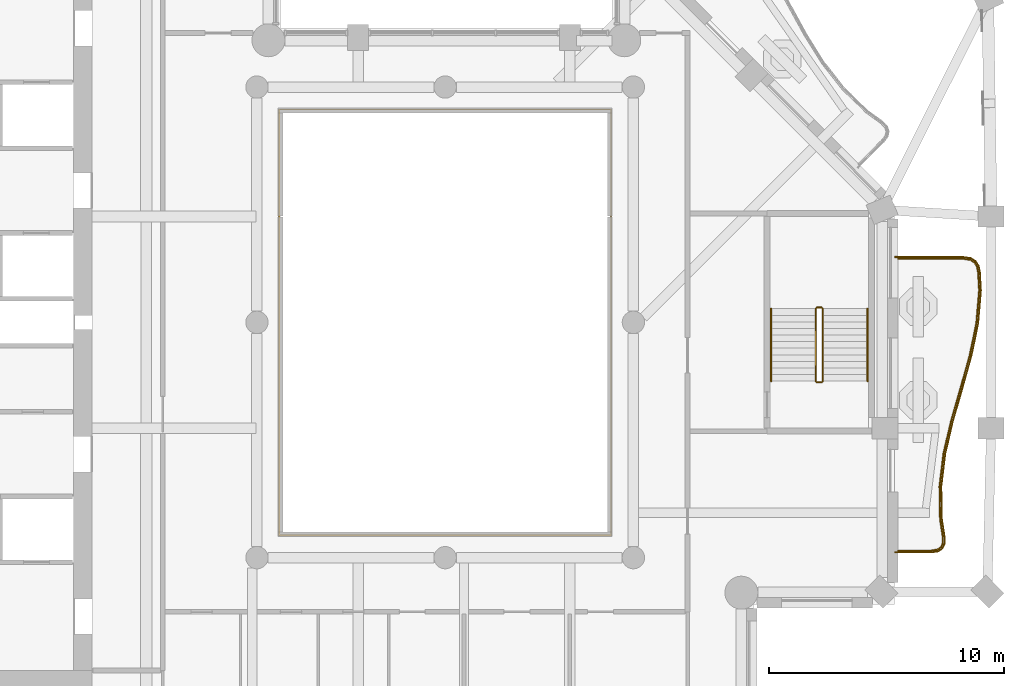
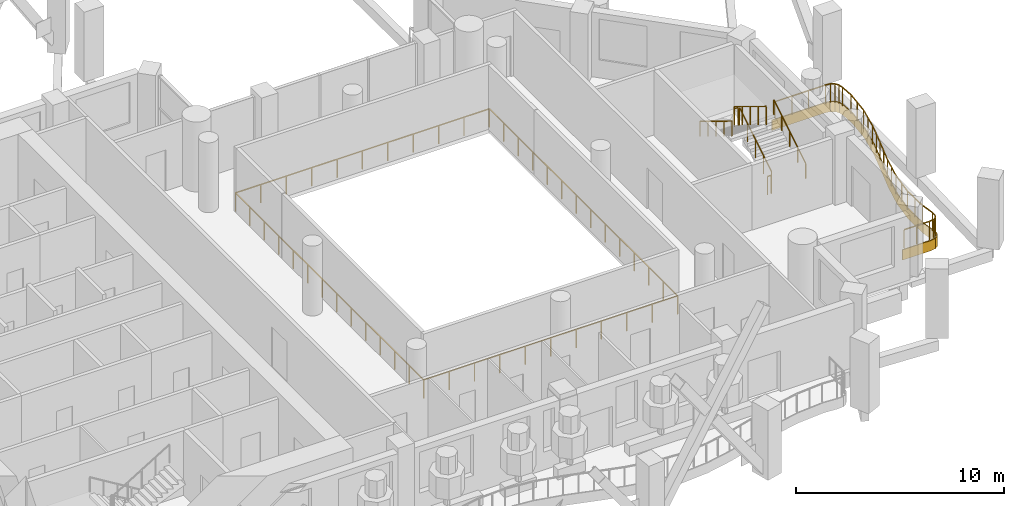
# One storey, part 13 of 16: 8 railings, 1 covering.
"""IFC4 building model written with IfcOpenShell, lengths in metres."""

from ifc_helpers import new_model, si_unit, direction, frame, origin, origin_2d, place, context, subcontext, project, spatial, polyline, rectangle, outline, extrude, material, layer, layer_set, type_object, element, save


model = new_model("IFC4")

# Units and contexts
model_context = context("Model", 3, precision=1e-05, world=origin(), true_north=direction((0.0, 1.0)))
body_context = subcontext(model_context, "Body", "Model", "MODEL_VIEW")
ifc_project = project(units=[si_unit("LENGTHUNIT", "METRE"), si_unit("AREAUNIT", "SQUARE_METRE"), si_unit("VOLUMEUNIT", "CUBIC_METRE"), si_unit("PLANEANGLEUNIT", "RADIAN"), si_unit("MASSUNIT", "GRAM", prefix="KILO")], contexts=[model_context])

# Site, building, storey
site_placement = place(None, origin())
site = spatial("IfcSite", under=ifc_project, at=site_placement, CompositionType="ELEMENT")
building_placement = place(site_placement, origin())
building = spatial("IfcBuilding", under=site, at=building_placement, Name="Cypress Arch Tower", CompositionType="ELEMENT")
storey_placement = place(building_placement, frame((0.0, 0.0, 230.199951171875)))
storey = spatial("IfcBuildingStorey", under=building, at=storey_placement, Name="L51", CompositionType="ELEMENT", Elevation=230.199951171875)

# Railing
ifc_material_1 = material(Name="Stainless steel posts and handrail, laminated glass infill", Category="steel")
railing_type_1 = type_object("IfcRailingType", Name="Atrium guard GR1100A", PredefinedType="GUARDRAIL", material=ifc_material_1)
railing_1_placement = place(storey_placement, frame((8.050048828125, -9.050048828125, 0.0)))
element("IfcRailing", 1, at=railing_1_placement, inside=storey, type_object=railing_type_1, Name="Atrium guard L51", PredefinedType="GUARDRAIL", context=body_context, shape_type="SweptSolid", body=[
    extrude(rectangle(XDim=0.050048828125, YDim=0.050048828125, at=origin_2d()), frame((0.0, 0.0, 1.0751953125), z_axis=(-1.0, 0.0, 0.0), x_axis=(0.0, -1.0, 0.0)), (0.0, 0.0, 1.0), 14.10009765625),
    extrude(rectangle(XDim=0.050048828125, YDim=0.050048828125, at=origin_2d()), frame((-14.10009765625, 0.0, 1.0751953125), z_axis=(0.0, 1.0, 0.0), x_axis=(-1.0, 0.0, 0.0)), (0.0, 0.0, 1.0), 18.10009765625),
    extrude(rectangle(XDim=0.050048828125, YDim=0.050048828125, at=origin_2d()), frame((-14.10009765625, 18.10009765625, 1.0751953125), z_axis=(1.0, 0.0, 0.0), x_axis=(0.0, 1.0, 0.0)), (0.0, 0.0, 1.0), 14.10009765625),
    extrude(rectangle(XDim=0.050048828125, YDim=0.050048828125, at=origin_2d()), frame((0.0, 18.10009765625, 1.0751953125), z_axis=(0.0, -1.0, 0.0), x_axis=(1.0, 0.0, 0.0)), (0.0, 0.0, 1.0), 18.10009765625),
    extrude(rectangle(XDim=0.050048828125, YDim=0.050048828125, at=origin_2d()), origin(), (0.0, 0.0, 1.0), 1.050048828125),
    extrude(rectangle(XDim=0.050048828125, YDim=0.050048828125, at=origin_2d()), frame((-1.409912109375, 0.0, 0.0)), (0.0, 0.0, 1.0), 1.050048828125),
    extrude(rectangle(XDim=0.050048828125, YDim=0.050048828125, at=origin_2d()), frame((-2.820068359375, 0.0, 0.0)), (0.0, 0.0, 1.0), 1.050048828125),
    extrude(rectangle(XDim=0.050048828125, YDim=0.050048828125, at=origin_2d()), frame((-4.22998046875, 0.0, 0.0)), (0.0, 0.0, 1.0), 1.050048828125),
    extrude(rectangle(XDim=0.050048828125, YDim=0.050048828125, at=origin_2d()), frame((-5.64013671875, 0.0, 0.0)), (0.0, 0.0, 1.0), 1.050048828125),
    extrude(rectangle(XDim=0.050048828125, YDim=0.050048828125, at=origin_2d()), frame((-7.050048828125, 0.0, 0.0)), (0.0, 0.0, 1.0), 1.050048828125),
    extrude(rectangle(XDim=0.050048828125, YDim=0.050048828125, at=origin_2d()), frame((-8.4599609375, 0.0, 0.0)), (0.0, 0.0, 1.0), 1.050048828125),
    extrude(rectangle(XDim=0.050048828125, YDim=0.050048828125, at=origin_2d()), frame((-9.8701171875, 0.0, 0.0)), (0.0, 0.0, 1.0), 1.050048828125),
    extrude(rectangle(XDim=0.050048828125, YDim=0.050048828125, at=origin_2d()), frame((-11.280029296875, 0.0, 0.0)), (0.0, 0.0, 1.0), 1.050048828125),
    extrude(rectangle(XDim=0.050048828125, YDim=0.050048828125, at=origin_2d()), frame((-12.690185546875, 0.0, 0.0)), (0.0, 0.0, 1.0), 1.050048828125),
    extrude(rectangle(XDim=0.050048828125, YDim=0.050048828125, at=origin_2d()), frame((-14.10009765625, 0.0, 0.0)), (0.0, 0.0, 1.0), 1.050048828125),
    extrude(rectangle(XDim=0.050048828125, YDim=0.050048828125, at=origin_2d()), frame((-14.10009765625, 1.392333984375, 0.0)), (0.0, 0.0, 1.0), 1.050048828125),
    extrude(rectangle(XDim=0.050048828125, YDim=0.050048828125, at=origin_2d()), frame((-14.10009765625, 2.78466796875, 0.0)), (0.0, 0.0, 1.0), 1.050048828125),
    extrude(rectangle(XDim=0.050048828125, YDim=0.050048828125, at=origin_2d()), frame((-14.10009765625, 4.177001953125, 0.0)), (0.0, 0.0, 1.0), 1.050048828125),
    extrude(rectangle(XDim=0.050048828125, YDim=0.050048828125, at=origin_2d()), frame((-14.10009765625, 5.5693359375, 0.0)), (0.0, 0.0, 1.0), 1.050048828125),
    extrude(rectangle(XDim=0.050048828125, YDim=0.050048828125, at=origin_2d()), frame((-14.10009765625, 6.961669921875, 0.0)), (0.0, 0.0, 1.0), 1.050048828125),
    extrude(rectangle(XDim=0.050048828125, YDim=0.050048828125, at=origin_2d()), frame((-14.10009765625, 8.35400390625, 0.0)), (0.0, 0.0, 1.0), 1.050048828125),
    extrude(rectangle(XDim=0.050048828125, YDim=0.050048828125, at=origin_2d()), frame((-14.10009765625, 9.74609375, 0.0)), (0.0, 0.0, 1.0), 1.050048828125),
    extrude(rectangle(XDim=0.050048828125, YDim=0.050048828125, at=origin_2d()), frame((-14.10009765625, 11.138427734375, 0.0)), (0.0, 0.0, 1.0), 1.050048828125),
    extrude(rectangle(XDim=0.050048828125, YDim=0.050048828125, at=origin_2d()), frame((-14.10009765625, 12.53076171875, 0.0)), (0.0, 0.0, 1.0), 1.050048828125),
    extrude(rectangle(XDim=0.050048828125, YDim=0.050048828125, at=origin_2d()), frame((-14.10009765625, 13.923095703125, 0.0)), (0.0, 0.0, 1.0), 1.050048828125),
    extrude(rectangle(XDim=0.050048828125, YDim=0.050048828125, at=origin_2d()), frame((-14.10009765625, 15.3154296875, 0.0)), (0.0, 0.0, 1.0), 1.050048828125),
    extrude(rectangle(XDim=0.050048828125, YDim=0.050048828125, at=origin_2d()), frame((-14.10009765625, 16.707763671875, 0.0)), (0.0, 0.0, 1.0), 1.050048828125),
    extrude(rectangle(XDim=0.050048828125, YDim=0.050048828125, at=origin_2d()), frame((-14.10009765625, 18.10009765625, 0.0)), (0.0, 0.0, 1.0), 1.050048828125),
    extrude(rectangle(XDim=0.050048828125, YDim=0.050048828125, at=origin_2d()), frame((-12.690185546875, 18.10009765625, 0.0)), (0.0, 0.0, 1.0), 1.050048828125),
    extrude(rectangle(XDim=0.050048828125, YDim=0.050048828125, at=origin_2d()), frame((-11.280029296875, 18.10009765625, 0.0)), (0.0, 0.0, 1.0), 1.050048828125),
    extrude(rectangle(XDim=0.050048828125, YDim=0.050048828125, at=origin_2d()), frame((-9.8701171875, 18.10009765625, 0.0)), (0.0, 0.0, 1.0), 1.050048828125),
    extrude(rectangle(XDim=0.050048828125, YDim=0.050048828125, at=origin_2d()), frame((-8.4599609375, 18.10009765625, 0.0)), (0.0, 0.0, 1.0), 1.050048828125),
    extrude(rectangle(XDim=0.050048828125, YDim=0.050048828125, at=origin_2d()), frame((-7.050048828125, 18.10009765625, 0.0)), (0.0, 0.0, 1.0), 1.050048828125),
    extrude(rectangle(XDim=0.050048828125, YDim=0.050048828125, at=origin_2d()), frame((-5.64013671875, 18.10009765625, 0.0)), (0.0, 0.0, 1.0), 1.050048828125),
    extrude(rectangle(XDim=0.050048828125, YDim=0.050048828125, at=origin_2d()), frame((-4.22998046875, 18.10009765625, 0.0)), (0.0, 0.0, 1.0), 1.050048828125),
    extrude(rectangle(XDim=0.050048828125, YDim=0.050048828125, at=origin_2d()), frame((-2.820068359375, 18.10009765625, 0.0)), (0.0, 0.0, 1.0), 1.050048828125),
    extrude(rectangle(XDim=0.050048828125, YDim=0.050048828125, at=origin_2d()), frame((-1.409912109375, 18.10009765625, 0.0)), (0.0, 0.0, 1.0), 1.050048828125),
    extrude(rectangle(XDim=0.050048828125, YDim=0.050048828125, at=origin_2d()), frame((0.0, 18.10009765625, 0.0)), (0.0, 0.0, 1.0), 1.050048828125),
    extrude(rectangle(XDim=0.050048828125, YDim=0.050048828125, at=origin_2d()), frame((0.0, 16.707763671875, 0.0)), (0.0, 0.0, 1.0), 1.050048828125),
    extrude(rectangle(XDim=0.050048828125, YDim=0.050048828125, at=origin_2d()), frame((0.0, 15.3154296875, 0.0)), (0.0, 0.0, 1.0), 1.050048828125),
    extrude(rectangle(XDim=0.050048828125, YDim=0.050048828125, at=origin_2d()), frame((0.0, 13.923095703125, 0.0)), (0.0, 0.0, 1.0), 1.050048828125),
    extrude(rectangle(XDim=0.050048828125, YDim=0.050048828125, at=origin_2d()), frame((0.0, 12.53076171875, 0.0)), (0.0, 0.0, 1.0), 1.050048828125),
    extrude(rectangle(XDim=0.050048828125, YDim=0.050048828125, at=origin_2d()), frame((0.0, 11.138427734375, 0.0)), (0.0, 0.0, 1.0), 1.050048828125),
    extrude(rectangle(XDim=0.050048828125, YDim=0.050048828125, at=origin_2d()), frame((0.0, 9.74609375, 0.0)), (0.0, 0.0, 1.0), 1.050048828125),
    extrude(rectangle(XDim=0.050048828125, YDim=0.050048828125, at=origin_2d()), frame((0.0, 8.35400390625, 0.0)), (0.0, 0.0, 1.0), 1.050048828125),
    extrude(rectangle(XDim=0.050048828125, YDim=0.050048828125, at=origin_2d()), frame((0.0, 6.961669921875, 0.0)), (0.0, 0.0, 1.0), 1.050048828125),
    extrude(rectangle(XDim=0.050048828125, YDim=0.050048828125, at=origin_2d()), frame((0.0, 5.5693359375, 0.0)), (0.0, 0.0, 1.0), 1.050048828125),
    extrude(rectangle(XDim=0.050048828125, YDim=0.050048828125, at=origin_2d()), frame((0.0, 4.177001953125, 0.0)), (0.0, 0.0, 1.0), 1.050048828125),
    extrude(rectangle(XDim=0.050048828125, YDim=0.050048828125, at=origin_2d()), frame((0.0, 2.78466796875, 0.0)), (0.0, 0.0, 1.0), 1.050048828125),
    extrude(rectangle(XDim=0.050048828125, YDim=0.050048828125, at=origin_2d()), frame((0.0, 1.392333984375, 0.0)), (0.0, 0.0, 1.0), 1.050048828125),
])

# Covering
ifc_material_2 = material(Name="White powder-coated aluminium fascia", Category="aluminium")
ifc_layer = layer(ifc_material_2, 0.050048828125)
ifc_layer_set = layer_set([ifc_layer], Name="Balcony fascia BF50")
covering_type = type_object("IfcCoveringType", Name="Balcony fascia BF50", PredefinedType="CLADDING", material=ifc_layer_set)
covering_placement = place(storey_placement, frame((0.0, 0.0, -0.599853515625)))
element("IfcCovering", 2, at=covering_placement, inside=storey, type_object=covering_type, Name="Balcony fascia L51-B04", PredefinedType="CLADDING", context=body_context, shape_type="SweptSolid", body=[
    extrude(outline(polyline([(23.044921875, 2.800048828125), (23.333984375, 2.759033203125), (23.554931640625, 2.631103515625), (23.6953125, 2.417724609375), (23.75244140625, 2.13134765625), (23.796142578125, 1.3603515625), (23.678466796875, -0.034912109375), (23.391845703125, -1.428466796875), (23.002685546875, -2.8193359375), (22.60107421875, -4.20703125), (22.279541015625, -5.592041015625), (22.111328125, -6.974853515625), (22.135009765625, -8.35693359375), (22.2509765625, -9.12109375), (22.253173828125, -9.4091796875), (22.153564453125, -9.627685546875), (21.952392578125, -9.7587890625), (21.667236328125, -9.800048828125), (20.10107421875, -9.800048828125), (20.10107421875, -9.75), (21.663818359375, -9.75), (21.934326171875, -9.7109375), (22.1142578125, -9.59375), (22.203125, -9.3984375), (22.200927734375, -9.125), (22.0849609375, -8.361083984375), (22.061279296875, -6.97216796875), (22.230224609375, -5.583251953125), (22.552734375, -4.1943359375), (22.95458984375, -2.8056640625), (23.34326171875, -1.416748046875), (23.62890625, -0.02783203125), (23.745849609375, 1.361083984375), (23.70263671875, 2.125), (23.648193359375, 2.3984375), (23.519775390625, 2.59375), (23.3173828125, 2.7109375), (23.041259765625, 2.75), (20.10107421875, 2.75), (20.10107421875, 2.800048828125), (23.044921875, 2.800048828125)])), origin(), (0.0, 0.0, 1.0), 0.599853515625),
])

# Railings
ifc_material_3 = material(Name="Powder-coated steel posts and rods, 100 mm clear between rods", Category="steel")
railing_type_2 = type_object("IfcRailingType", Name="Balcony guard GR1100", PredefinedType="GUARDRAIL", material=ifc_material_3)
railing_2_placement = place(storey_placement, frame((20.25, 2.699951171875, 0.0)))
element("IfcRailing", 3, at=railing_2_placement, inside=storey, type_object=railing_type_2, Name="Balcony guard L51-B04", PredefinedType="GUARDRAIL", context=body_context, shape_type="SweptSolid", body=[
    extrude(rectangle(XDim=0.050048828125, YDim=0.050048828125, at=origin_2d()), frame((0.0, 0.0, 1.0751953125), z_axis=(1.0, 0.0, 0.0), x_axis=(0.0, 1.0, 0.0)), (0.0, 0.0, 1.0), 2.787841796875),
    extrude(rectangle(XDim=0.050048828125, YDim=0.050048828125, at=origin_2d()), frame((2.787841796875, 0.0, 1.0751953125), z_axis=(0.990187121874, -0.139747857498, 0.0), x_axis=(0.139747857498, 0.990187121874, 0.0)), (0.0, 0.0, 1.0), 0.265625),
    extrude(rectangle(XDim=0.050048828125, YDim=0.050048828125, at=origin_2d()), frame((3.05078125, -0.037109375, 1.0751953125), z_axis=(0.865111063351, -0.50158035056, 0.0), x_axis=(0.50158035056, 0.865111063351, 0.0)), (0.0, 0.0, 1.0), 0.212158203125),
    extrude(rectangle(XDim=0.050048828125, YDim=0.050048828125, at=origin_2d()), frame((3.234375, -0.1435546875, 1.0751953125), z_axis=(0.549912279617, -0.835222416322, 0.0), x_axis=(0.835222416322, 0.549912279617, 0.0)), (0.0, 0.0, 1.0), 0.212158203125),
    extrude(rectangle(XDim=0.050048828125, YDim=0.050048828125, at=origin_2d()), frame((3.35107421875, -0.32080078125, 1.0751953125), z_axis=(0.195762632629, -0.980651309929, 0.0), x_axis=(0.980651309929, 0.195762632629, 0.0)), (0.0, 0.0, 1.0), 0.265625),
    extrude(rectangle(XDim=0.050048828125, YDim=0.050048828125, at=origin_2d()), frame((3.403076171875, -0.581298828125, 1.0751953125), z_axis=(0.056361877756, -0.998410405963, 0.0), x_axis=(0.998410405963, 0.056361877756, 0.0)), (0.0, 0.0, 1.0), 0.758056640625),
    extrude(rectangle(XDim=0.050048828125, YDim=0.050048828125, at=origin_2d()), frame((3.44580078125, -1.338134765625, 1.0751953125), z_axis=(-0.083948469854, -0.996470097097, 0.0), x_axis=(0.996470097097, -0.083948469854, 0.0)), (0.0, 0.0, 1.0), 1.38720703125),
    extrude(rectangle(XDim=0.050048828125, YDim=0.050048828125, at=origin_2d()), frame((3.329345703125, -2.720458984375, 1.0751953125), z_axis=(-0.201428696344, -0.979503180336, 0.0), x_axis=(0.979503180336, -0.201428696344, 0.0)), (0.0, 0.0, 1.0), 1.413330078125),
    extrude(rectangle(XDim=0.050048828125, YDim=0.050048828125, at=origin_2d()), frame((3.044677734375, -4.104736328125, 1.0751953125), z_axis=(-0.269479046534, -0.963006253084, 0.0), x_axis=(0.963006253084, -0.269479046534, 0.0)), (0.0, 0.0, 1.0), 1.4404296875),
    extrude(rectangle(XDim=0.050048828125, YDim=0.050048828125, at=origin_2d()), frame((2.656494140625, -5.491943359375, 1.0751953125), z_axis=(-0.277906481158, -0.960608134324, 0.0), x_axis=(0.960608134324, -0.277906481158, 0.0)), (0.0, 0.0, 1.0), 1.44677734375),
    extrude(rectangle(XDim=0.050048828125, YDim=0.050048828125, at=origin_2d()), frame((2.25439453125, -6.8818359375, 1.0751953125), z_axis=(-0.226230961979, -0.974073689123, 0.0), x_axis=(0.974073689123, -0.226230961979, 0.0)), (0.0, 0.0, 1.0), 1.429931640625),
    extrude(rectangle(XDim=0.050048828125, YDim=0.050048828125, at=origin_2d()), frame((1.930908203125, -8.274658203125, 1.0751953125), z_axis=(-0.120741230485, -0.992684015818, 0.0), x_axis=(0.992684015818, -0.120741230485, 0.0)), (0.0, 0.0, 1.0), 1.4052734375),
    extrude(rectangle(XDim=0.050048828125, YDim=0.050048828125, at=origin_2d()), frame((1.76123046875, -9.669677734375, 1.0751953125), z_axis=(0.017142337267, -0.999853059341, 0.0), x_axis=(0.999853059341, 0.017142337267, 0.0)), (0.0, 0.0, 1.0), 1.395751953125),
    extrude(rectangle(XDim=0.050048828125, YDim=0.050048828125, at=origin_2d()), frame((1.78515625, -11.065185546875, 1.0751953125), z_axis=(0.150133073552, -0.988665798046, 0.0), x_axis=(0.988665798046, 0.150133073552, 0.0)), (0.0, 0.0, 1.0), 0.7724609375),
    extrude(rectangle(XDim=0.050048828125, YDim=0.050048828125, at=origin_2d()), frame((1.901123046875, -11.828857421875, 1.0751953125), z_axis=(0.007546954878, -0.999971521331, 0.0), x_axis=(0.999971521331, 0.007546954878, 0.0)), (0.0, 0.0, 1.0), 0.2587890625),
    extrude(rectangle(XDim=0.050048828125, YDim=0.050048828125, at=origin_2d()), frame((1.903076171875, -12.087646484375, 1.0751953125), z_axis=(-0.414386427417, -0.910101032178, 0.0), x_axis=(0.910101032178, -0.414386427417, 0.0)), (0.0, 0.0, 1.0), 0.189208984375),
    extrude(rectangle(XDim=0.050048828125, YDim=0.050048828125, at=origin_2d()), frame((1.82470703125, -12.259765625, 1.0751953125), z_axis=(-0.837764644309, -0.546031501606, 0.0), x_axis=(0.546031501606, -0.837764644309, 0.0)), (0.0, 0.0, 1.0), 0.189208984375),
    extrude(rectangle(XDim=0.050048828125, YDim=0.050048828125, at=origin_2d()), frame((1.666259765625, -12.363037109375, 1.0751953125), z_axis=(-0.989797959451, -0.142478066613, 0.0), x_axis=(0.142478066613, -0.989797959451, 0.0)), (0.0, 0.0, 1.0), 0.2587890625),
    extrude(rectangle(XDim=0.050048828125, YDim=0.050048828125, at=origin_2d()), frame((1.41015625, -12.39990234375, 1.0751953125), z_axis=(-1.0, 0.0, 0.0), x_axis=(0.0, -1.0, 0.0)), (0.0, 0.0, 1.0), 1.41015625),
    extrude(rectangle(XDim=0.0400390625, YDim=0.0400390625, at=origin_2d()), origin(), (0.0, 0.0, 1.0), 1.050048828125),
    extrude(rectangle(XDim=0.0400390625, YDim=0.0400390625, at=origin_2d()), frame((0.92919921875, 0.0, 0.0)), (0.0, 0.0, 1.0), 1.050048828125),
    extrude(rectangle(XDim=0.0400390625, YDim=0.0400390625, at=origin_2d()), frame((1.858642578125, 0.0, 0.0)), (0.0, 0.0, 1.0), 1.050048828125),
    extrude(rectangle(XDim=0.0400390625, YDim=0.0400390625, at=origin_2d()), frame((2.787841796875, 0.0, 0.0)), (0.0, 0.0, 1.0), 1.050048828125),
    extrude(rectangle(XDim=0.0400390625, YDim=0.0400390625, at=origin_2d()), frame((3.05078125, -0.037109375, 0.0)), (0.0, 0.0, 1.0), 1.050048828125),
    extrude(rectangle(XDim=0.0400390625, YDim=0.0400390625, at=origin_2d()), frame((3.234375, -0.1435546875, 0.0)), (0.0, 0.0, 1.0), 1.050048828125),
    extrude(rectangle(XDim=0.0400390625, YDim=0.0400390625, at=origin_2d()), frame((3.35107421875, -0.32080078125, 0.0)), (0.0, 0.0, 1.0), 1.050048828125),
    extrude(rectangle(XDim=0.0400390625, YDim=0.0400390625, at=origin_2d()), frame((3.403076171875, -0.581298828125, 0.0)), (0.0, 0.0, 1.0), 1.050048828125),
    extrude(rectangle(XDim=0.0400390625, YDim=0.0400390625, at=origin_2d()), frame((3.44580078125, -1.338134765625, 0.0)), (0.0, 0.0, 1.0), 1.050048828125),
    extrude(rectangle(XDim=0.0400390625, YDim=0.0400390625, at=origin_2d()), frame((3.3876953125, -2.029296875, 0.0)), (0.0, 0.0, 1.0), 1.050048828125),
    extrude(rectangle(XDim=0.0400390625, YDim=0.0400390625, at=origin_2d()), frame((3.329345703125, -2.720458984375, 0.0)), (0.0, 0.0, 1.0), 1.050048828125),
    extrude(rectangle(XDim=0.0400390625, YDim=0.0400390625, at=origin_2d()), frame((3.18701171875, -3.41259765625, 0.0)), (0.0, 0.0, 1.0), 1.050048828125),
    extrude(rectangle(XDim=0.0400390625, YDim=0.0400390625, at=origin_2d()), frame((3.044677734375, -4.104736328125, 0.0)), (0.0, 0.0, 1.0), 1.050048828125),
    extrude(rectangle(XDim=0.0400390625, YDim=0.0400390625, at=origin_2d()), frame((2.8505859375, -4.79833984375, 0.0)), (0.0, 0.0, 1.0), 1.050048828125),
    extrude(rectangle(XDim=0.0400390625, YDim=0.0400390625, at=origin_2d()), frame((2.656494140625, -5.491943359375, 0.0)), (0.0, 0.0, 1.0), 1.050048828125),
    extrude(rectangle(XDim=0.0400390625, YDim=0.0400390625, at=origin_2d()), frame((2.45556640625, -6.18701171875, 0.0)), (0.0, 0.0, 1.0), 1.050048828125),
    extrude(rectangle(XDim=0.0400390625, YDim=0.0400390625, at=origin_2d()), frame((2.25439453125, -6.8818359375, 0.0)), (0.0, 0.0, 1.0), 1.050048828125),
    extrude(rectangle(XDim=0.0400390625, YDim=0.0400390625, at=origin_2d()), frame((2.0927734375, -7.578125, 0.0)), (0.0, 0.0, 1.0), 1.050048828125),
    extrude(rectangle(XDim=0.0400390625, YDim=0.0400390625, at=origin_2d()), frame((1.930908203125, -8.274658203125, 0.0)), (0.0, 0.0, 1.0), 1.050048828125),
    extrude(rectangle(XDim=0.0400390625, YDim=0.0400390625, at=origin_2d()), frame((1.84619140625, -8.97216796875, 0.0)), (0.0, 0.0, 1.0), 1.050048828125),
    extrude(rectangle(XDim=0.0400390625, YDim=0.0400390625, at=origin_2d()), frame((1.76123046875, -9.669677734375, 0.0)), (0.0, 0.0, 1.0), 1.050048828125),
    extrude(rectangle(XDim=0.0400390625, YDim=0.0400390625, at=origin_2d()), frame((1.773193359375, -10.367431640625, 0.0)), (0.0, 0.0, 1.0), 1.050048828125),
    extrude(rectangle(XDim=0.0400390625, YDim=0.0400390625, at=origin_2d()), frame((1.78515625, -11.065185546875, 0.0)), (0.0, 0.0, 1.0), 1.050048828125),
    extrude(rectangle(XDim=0.0400390625, YDim=0.0400390625, at=origin_2d()), frame((1.901123046875, -11.828857421875, 0.0)), (0.0, 0.0, 1.0), 1.050048828125),
    extrude(rectangle(XDim=0.0400390625, YDim=0.0400390625, at=origin_2d()), frame((1.903076171875, -12.087646484375, 0.0)), (0.0, 0.0, 1.0), 1.050048828125),
    extrude(rectangle(XDim=0.0400390625, YDim=0.0400390625, at=origin_2d()), frame((1.82470703125, -12.259765625, 0.0)), (0.0, 0.0, 1.0), 1.050048828125),
    extrude(rectangle(XDim=0.0400390625, YDim=0.0400390625, at=origin_2d()), frame((1.666259765625, -12.363037109375, 0.0)), (0.0, 0.0, 1.0), 1.050048828125),
    extrude(rectangle(XDim=0.0400390625, YDim=0.0400390625, at=origin_2d()), frame((1.41015625, -12.39990234375, 0.0)), (0.0, 0.0, 1.0), 1.050048828125),
    extrude(rectangle(XDim=0.0400390625, YDim=0.0400390625, at=origin_2d()), frame((0.705078125, -12.39990234375, 0.0)), (0.0, 0.0, 1.0), 1.050048828125),
    extrude(rectangle(XDim=0.0400390625, YDim=0.0400390625, at=origin_2d()), frame((0.0, -12.39990234375, 0.0)), (0.0, 0.0, 1.0), 1.050048828125),
])
ifc_material_4 = material(Name="Black powder-coated steel square bar 48 mm", Category="steel")
railing_type_3 = type_object("IfcRailingType", Name="Stair handrail HR1", PredefinedType="HANDRAIL", material=ifc_material_4)
railing_3_placement = place(storey_placement, frame((18.949951171875, -2.5, 0.1708984375)))
element("IfcRailing", 4, at=railing_3_placement, inside=storey, type_object=railing_type_3, Name="L51 C stair handrail 1", PredefinedType="HANDRAIL", context=body_context, shape_type="SweptSolid", body=[
    extrude(rectangle(XDim=0.048095703125, YDim=0.048095703125, at=origin_2d()), frame((0.0, 0.0, 0.8759765625), z_axis=(0.0, 0.853666305674, 0.52082035152), x_axis=(-1.0, 0.0, 0.0)), (0.0, 0.0, 1.0), 3.608154296875),
    extrude(rectangle(XDim=0.0419921875, YDim=0.0419921875, at=origin_2d()), origin(), (0.0, 0.0, 1.0), 0.851806640625),
    extrude(rectangle(XDim=0.0419921875, YDim=0.0419921875, at=origin_2d()), frame((0.0, 0.77001953125, 0.4697265625)), (0.0, 0.0, 1.0), 0.851806640625),
    extrude(rectangle(XDim=0.0419921875, YDim=0.0419921875, at=origin_2d()), frame((0.0, 1.5400390625, 0.939453125)), (0.0, 0.0, 1.0), 0.851806640625),
    extrude(rectangle(XDim=0.0419921875, YDim=0.0419921875, at=origin_2d()), frame((0.0, 2.31005859375, 1.409423828125)), (0.0, 0.0, 1.0), 0.851806640625),
    extrude(rectangle(XDim=0.0419921875, YDim=0.0419921875, at=origin_2d()), frame((0.0, 3.080078125, 1.879150390625)), (0.0, 0.0, 1.0), 0.851806640625),
])
railing_4_placement = place(storey_placement, frame((14.85009765625, 0.580078125, 2.220947265625)))
element("IfcRailing", 5, at=railing_4_placement, inside=storey, type_object=railing_type_3, Name="L51 C stair handrail 2", PredefinedType="HANDRAIL", context=body_context, shape_type="SweptSolid", body=[
    extrude(rectangle(XDim=0.048095703125, YDim=0.048095703125, at=origin_2d()), frame((0.0, 0.0, 0.8759765625), z_axis=(0.0, -0.853666305674, 0.52082035152), x_axis=(1.0, 0.0, 0.0)), (0.0, 0.0, 1.0), 3.608154296875),
    extrude(rectangle(XDim=0.0419921875, YDim=0.0419921875, at=origin_2d()), origin(), (0.0, 0.0, 1.0), 0.851806640625),
    extrude(rectangle(XDim=0.0419921875, YDim=0.0419921875, at=origin_2d()), frame((0.0, -0.77001953125, 0.4697265625)), (0.0, 0.0, 1.0), 0.851806640625),
    extrude(rectangle(XDim=0.0419921875, YDim=0.0419921875, at=origin_2d()), frame((0.0, -1.5400390625, 0.939453125)), (0.0, 0.0, 1.0), 0.851806640625),
    extrude(rectangle(XDim=0.0419921875, YDim=0.0419921875, at=origin_2d()), frame((0.0, -2.31005859375, 1.409423828125)), (0.0, 0.0, 1.0), 0.851806640625),
    extrude(rectangle(XDim=0.0419921875, YDim=0.0419921875, at=origin_2d()), frame((0.0, -3.080078125, 1.879150390625)), (0.0, 0.0, 1.0), 0.851806640625),
])
ifc_material_5 = material(Name="Black powder-coated steel balusters", Category="steel")
railing_type_4 = type_object("IfcRailingType", Name="Stair well guard G1", PredefinedType="GUARDRAIL", material=ifc_material_5)
railing_5_placement = place(storey_placement, frame((17.050048828125, -2.5, 0.1708984375)))
element("IfcRailing", 6, at=railing_5_placement, inside=storey, type_object=railing_type_4, Name="L51 C stair guard 1", PredefinedType="GUARDRAIL", context=body_context, shape_type="SweptSolid", body=[
    extrude(rectangle(XDim=0.048095703125, YDim=0.048095703125, at=origin_2d()), frame((0.0, 0.0, 1.076171875), z_axis=(0.0, 0.853666305674, 0.52082035152), x_axis=(-1.0, 0.0, 0.0)), (0.0, 0.0, 1.0), 3.608154296875),
    extrude(rectangle(XDim=0.0419921875, YDim=0.0419921875, at=origin_2d()), origin(), (0.0, 0.0, 1.0), 1.052001953125),
    extrude(rectangle(XDim=0.0419921875, YDim=0.0419921875, at=origin_2d()), frame((0.0, 0.77001953125, 0.4697265625)), (0.0, 0.0, 1.0), 1.052001953125),
    extrude(rectangle(XDim=0.0419921875, YDim=0.0419921875, at=origin_2d()), frame((0.0, 1.5400390625, 0.939453125)), (0.0, 0.0, 1.0), 1.052001953125),
    extrude(rectangle(XDim=0.0419921875, YDim=0.0419921875, at=origin_2d()), frame((0.0, 2.31005859375, 1.409423828125)), (0.0, 0.0, 1.0), 1.052001953125),
    extrude(rectangle(XDim=0.0419921875, YDim=0.0419921875, at=origin_2d()), frame((0.0, 3.080078125, 1.879150390625)), (0.0, 0.0, 1.0), 1.052001953125),
])
railing_6_placement = place(storey_placement, frame((17.0, 0.6298828125, 2.050048828125)))
element("IfcRailing", 7, at=railing_6_placement, inside=storey, type_object=railing_type_4, Name="L51 C stair guard 2", PredefinedType="GUARDRAIL", context=body_context, shape_type="SweptSolid", body=[
    extrude(rectangle(XDim=0.048095703125, YDim=0.048095703125, at=origin_2d()), frame((0.0, 0.0, 1.076171875), z_axis=(-1.0, 0.0, 0.0), x_axis=(0.0, -1.0, 0.0)), (0.0, 0.0, 1.0), 0.199951171875),
    extrude(rectangle(XDim=0.0419921875, YDim=0.0419921875, at=origin_2d()), origin(), (0.0, 0.0, 1.0), 1.052001953125),
    extrude(rectangle(XDim=0.0419921875, YDim=0.0419921875, at=origin_2d()), frame((-0.199951171875, 0.0, 0.0)), (0.0, 0.0, 1.0), 1.052001953125),
])
railing_7_placement = place(storey_placement, frame((16.75, 0.580078125, 2.220947265625)))
element("IfcRailing", 8, at=railing_7_placement, inside=storey, type_object=railing_type_4, Name="L51 C stair guard 3", PredefinedType="GUARDRAIL", context=body_context, shape_type="SweptSolid", body=[
    extrude(rectangle(XDim=0.048095703125, YDim=0.048095703125, at=origin_2d()), frame((0.0, 0.0, 1.076171875), z_axis=(0.0, -0.853666305674, 0.52082035152), x_axis=(1.0, 0.0, 0.0)), (0.0, 0.0, 1.0), 3.608154296875),
    extrude(rectangle(XDim=0.0419921875, YDim=0.0419921875, at=origin_2d()), origin(), (0.0, 0.0, 1.0), 1.052001953125),
    extrude(rectangle(XDim=0.0419921875, YDim=0.0419921875, at=origin_2d()), frame((0.0, -0.77001953125, 0.4697265625)), (0.0, 0.0, 1.0), 1.052001953125),
    extrude(rectangle(XDim=0.0419921875, YDim=0.0419921875, at=origin_2d()), frame((0.0, -1.5400390625, 0.939453125)), (0.0, 0.0, 1.0), 1.052001953125),
    extrude(rectangle(XDim=0.0419921875, YDim=0.0419921875, at=origin_2d()), frame((0.0, -2.31005859375, 1.409423828125)), (0.0, 0.0, 1.0), 1.052001953125),
    extrude(rectangle(XDim=0.0419921875, YDim=0.0419921875, at=origin_2d()), frame((0.0, -3.080078125, 1.879150390625)), (0.0, 0.0, 1.0), 1.052001953125),
])
railing_8_placement = place(storey_placement, frame((17.0, -2.550048828125, 0.0)))
element("IfcRailing", 9, at=railing_8_placement, inside=storey, type_object=railing_type_4, Name="L51 C stair guard 4", PredefinedType="GUARDRAIL", context=body_context, shape_type="SweptSolid", body=[
    extrude(rectangle(XDim=0.048095703125, YDim=0.048095703125, at=origin_2d()), frame((0.0, 0.0, 1.076171875), z_axis=(-1.0, 0.0, 0.0), x_axis=(0.0, -1.0, 0.0)), (0.0, 0.0, 1.0), 0.199951171875),
    extrude(rectangle(XDim=0.0419921875, YDim=0.0419921875, at=origin_2d()), origin(), (0.0, 0.0, 1.0), 1.052001953125),
    extrude(rectangle(XDim=0.0419921875, YDim=0.0419921875, at=origin_2d()), frame((-0.199951171875, 0.0, 0.0)), (0.0, 0.0, 1.0), 1.052001953125),
])

save(model, "model.ifc")
